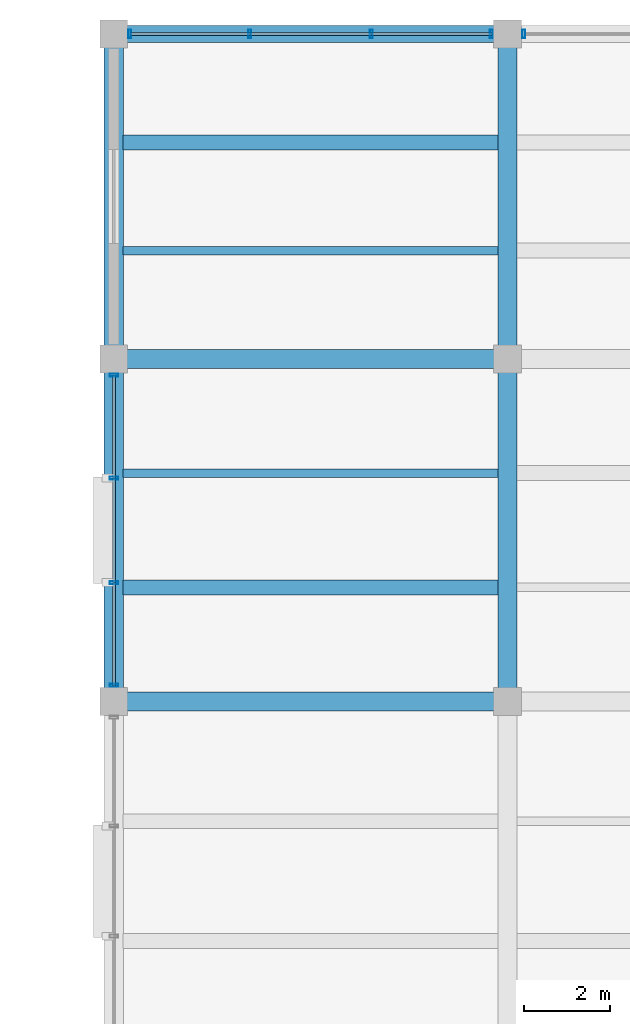
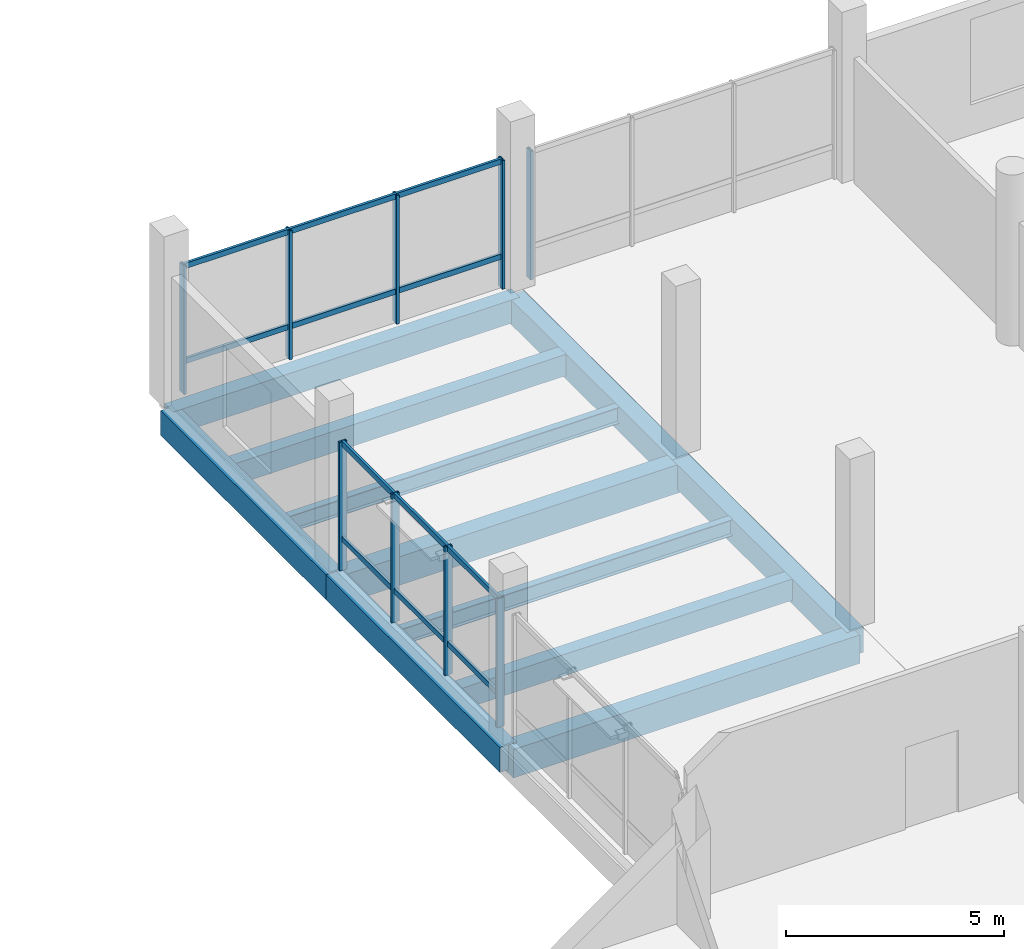
# One storey, part 38 of 71: 21 members, 11 beams, 3 elements without a shape of their own.
"""IFC4 building model written with IfcOpenShell, lengths in metres."""

from ifc_helpers import new_model, si_unit, direction, frame, origin, origin_2d, place, context, subcontext, project, spatial, rectangle, hollow_rectangle, i_section, extrude, material, layer, layer_set, material_profile, profile_set, type_object, element, aggregate, save


model = new_model("IFC4")

# Units and contexts
model_context = context("Model", 3, precision=1e-05, world=origin(), true_north=direction((0.0, 1.0)))
body_context = subcontext(model_context, "Body", "Model", "MODEL_VIEW")
ifc_project = project(units=[si_unit("LENGTHUNIT", "METRE"), si_unit("AREAUNIT", "SQUARE_METRE"), si_unit("VOLUMEUNIT", "CUBIC_METRE"), si_unit("PLANEANGLEUNIT", "RADIAN"), si_unit("MASSUNIT", "GRAM", prefix="KILO")], contexts=[model_context])

# Site, building, storey
site_placement = place(None, origin())
site = spatial("IfcSite", under=ifc_project, at=site_placement, CompositionType="ELEMENT")
building_placement = place(site_placement, origin())
building = spatial("IfcBuilding", under=site, at=building_placement, Name="Meriwether Solvik Hall", CompositionType="ELEMENT")
storey_placement = place(building_placement, frame((0.0, 0.0, 5.10009765625)))
storey = spatial("IfcBuildingStorey", under=building, at=storey_placement, Name="L01", CompositionType="ELEMENT", Elevation=5.10009765625)

# Beams
ifc_material_1 = material(Name="Concrete C40/50", Category="concrete")
ifc_material_profile_1 = material_profile(ifc_material_1, rectangle(XDim=0.35009765625, YDim=0.60009765625, at=origin_2d()), Name="RCB-350X600")
ifc_profile_set_1 = profile_set([ifc_material_profile_1], Name="Concrete C40/50")
beam_type_1 = type_object("IfcBeamType", Name="BM-RC-350X600", PredefinedType="JOIST", material=ifc_profile_set_1)
for number, where, z_axis, x_axis, name in (
    (1, (105.219970703125, 103.86669921875, -0.60009765625), (1.0, 0.0, 0.0), (0.0, 1.0, 0.0), "Secondary Floor Joist 12/L_J1 (L01)"),
    (2, (105.219970703125, 114.2666015625, -0.60009765625), (1.0, 0.0, 0.0), (0.0, 1.0, 0.0), "Secondary Floor Joist 12/M_J2 (L01)"),
):
    element("IfcBeam", number, at=place(storey_placement, frame(where, z_axis=z_axis, x_axis=x_axis)), inside=storey, type_object=beam_type_1, Name=name, PredefinedType="JOIST", context=body_context, shape_type="SweptSolid", body=[
        extrude(rectangle(XDim=0.35009765625, YDim=0.60009765625, at=origin_2d()), origin(), (0.0, 0.0, 1.0), 8.760009765625),
    ])
ifc_material_2 = material(Name="Concrete C40/50", Category="concrete")
ifc_material_profile_2 = material_profile(ifc_material_2, rectangle(XDim=0.39990234375, YDim=0.64990234375, at=origin_2d()), Name="RCB-400X650")
ifc_profile_set_2 = profile_set([ifc_material_profile_2], Name="Concrete C40/50")
beam_type_2 = type_object("IfcBeamType", Name="BM-RC-400X650", PredefinedType="SPANDREL", material=ifc_profile_set_2)
beam_1_placement = place(storey_placement, frame((105.0, 116.800048828125, -0.625), z_axis=(1.0, 0.0, 0.0), x_axis=(0.0, 1.0, 0.0)))
element("IfcBeam", 3, at=beam_1_placement, inside=storey, type_object=beam_type_2, Name="Podium Girder N:12-13 (L01)", PredefinedType="SPANDREL", context=body_context, shape_type="SweptSolid", body=[
    extrude(rectangle(XDim=0.39990234375, YDim=0.64990234375, at=origin_2d()), origin(), (0.0, 0.0, 1.0), 9.199951171875),
])
ifc_material_3 = material(Name="Concrete C40/50", Category="concrete")
ifc_material_profile_3 = material_profile(ifc_material_3, rectangle(XDim=0.449951171875, YDim=0.699951171875, at=origin_2d()), Name="RCB-450X700")
ifc_profile_set_3 = profile_set([ifc_material_profile_3], Name="Concrete C40/50")
beam_type_3 = type_object("IfcBeamType", Name="BM-RC-450X700", PredefinedType="BEAM", material=ifc_profile_set_3)
beam_2_placement = place(storey_placement, frame((105.0, 101.199951171875, -0.650146484375), z_axis=(0.0, 1.0, 0.0), x_axis=(-1.0, 0.0, 0.0)))
element("IfcBeam", 4, at=beam_2_placement, inside=storey, type_object=beam_type_3, Name="Podium Girder 12:L-M (L01)", PredefinedType="BEAM", context=body_context, shape_type="SweptSolid", body=[
    extrude(rectangle(XDim=0.449951171875, YDim=0.699951171875, at=origin_2d()), origin(), (0.0, 0.0, 1.0), 8.0),
])
beam_3_placement = place(storey_placement, frame((105.0, 109.199951171875, -0.650146484375), z_axis=(0.0, 1.0, 0.0), x_axis=(-1.0, 0.0, 0.0)))
element("IfcBeam", 5, at=beam_3_placement, inside=storey, type_object=beam_type_3, Name="Podium Girder 12:M-N (L01)", PredefinedType="BEAM", context=body_context, shape_type="SweptSolid", body=[
    extrude(rectangle(XDim=0.449951171875, YDim=0.699951171875, at=origin_2d()), origin(), (0.0, 0.0, 1.0), 7.60009765625),
])
beam_4_placement = place(storey_placement, frame((114.199951171875, 101.199951171875, -0.650146484375), z_axis=(0.0, 1.0, 0.0), x_axis=(-1.0, 0.0, 0.0)))
element("IfcBeam", 6, at=beam_4_placement, inside=storey, type_object=beam_type_3, Name="Podium Girder 13:L-M (L01)", PredefinedType="BEAM", context=body_context, shape_type="SweptSolid", body=[
    extrude(rectangle(XDim=0.449951171875, YDim=0.699951171875, at=origin_2d()), origin(), (0.0, 0.0, 1.0), 8.0),
])
beam_5_placement = place(storey_placement, frame((114.199951171875, 109.199951171875, -0.650146484375), z_axis=(0.0, 1.0, 0.0), x_axis=(-1.0, 0.0, 0.0)))
element("IfcBeam", 7, at=beam_5_placement, inside=storey, type_object=beam_type_3, Name="Podium Girder 13:M-N (L01)", PredefinedType="BEAM", context=body_context, shape_type="SweptSolid", body=[
    extrude(rectangle(XDim=0.449951171875, YDim=0.699951171875, at=origin_2d()), origin(), (0.0, 0.0, 1.0), 7.60009765625),
])
ifc_material_4 = material(Name="Concrete C40/50", Category="concrete")
ifc_material_profile_4 = material_profile(ifc_material_4, rectangle(XDim=0.449951171875, YDim=0.800048828125, at=origin_2d()), Name="RCB-450X800")
ifc_profile_set_4 = profile_set([ifc_material_profile_4], Name="Concrete C40/50")
beam_type_4 = type_object("IfcBeamType", Name="BM-RC-450X800", PredefinedType="BEAM", material=ifc_profile_set_4)
for number, where, z_axis, x_axis, name in (
    (8, (105.0, 101.199951171875, -0.7001953125), (1.0, 0.0, 0.0), (0.0, 1.0, 0.0), "Podium Girder L:12-13 (L01)"),
    (9, (105.0, 109.199951171875, -0.7001953125), (1.0, 0.0, 0.0), (0.0, 1.0, 0.0), "Podium Girder M:12-13 (L01)"),
):
    element("IfcBeam", number, at=place(storey_placement, frame(where, z_axis=z_axis, x_axis=x_axis)), inside=storey, type_object=beam_type_4, Name=name, PredefinedType="BEAM", context=body_context, shape_type="SweptSolid", body=[
        extrude(rectangle(XDim=0.449951171875, YDim=0.800048828125, at=origin_2d()), origin(), (0.0, 0.0, 1.0), 9.199951171875),
    ])
ifc_material_5 = material(Name="Steel A992 Grade 50", Category="steel")
ifc_material_profile_5 = material_profile(ifc_material_5, i_section(OverallWidth=0.19091796875, OverallDepth=0.45703125, WebThickness=0.009033203125, FlangeThickness=0.014404296875, at=origin_2d()), Name="W18X50")
ifc_profile_set_5 = profile_set([ifc_material_profile_5], Name="Steel A992 Grade 50")
beam_type_5 = type_object("IfcBeamType", Name="BM-STL-W18X50", PredefinedType="JOIST", material=ifc_profile_set_5)
for number, where, z_axis, x_axis, name in (
    (10, (105.219970703125, 106.533203125, -0.528564453125), (1.0, 0.0, 0.0), (0.0, 1.0, 0.0), "Secondary Floor Joist 12/L_J2 (L01)"),
    (11, (105.219970703125, 111.7333984375, -0.528564453125), (1.0, 0.0, 0.0), (0.0, 1.0, 0.0), "Secondary Floor Joist 12/M_J1 (L01)"),
):
    element("IfcBeam", number, at=place(storey_placement, frame(where, z_axis=z_axis, x_axis=x_axis)), inside=storey, type_object=beam_type_5, Name=name, PredefinedType="JOIST", context=body_context, shape_type="SweptSolid", body=[
        extrude(i_section(OverallWidth=0.19091796875, OverallDepth=0.45703125, WebThickness=0.009033203125, FlangeThickness=0.014404296875, at=origin_2d()), origin(), (0.0, 0.0, 1.0), 8.760009765625),
    ])

# Curtain wall, members
ifc_material_6 = material(Name="Thermally Broken Anodised Aluminium 6063-T6 and Low-E Glass", Category="aluminium")
ifc_layer = layer(ifc_material_6, 0.179931640625)
ifc_layer_set = layer_set([ifc_layer], Name="Thermally Broken Anodised Aluminium 6063-T6 and Low-E Glass")
curtain_wall_type = type_object("IfcCurtainWallType", Name="CW-SF-POD-B", PredefinedType="USERDEFINED", material=ifc_layer_set)
curtain_wall_1_placement = place(storey_placement, origin())
curtain_wall_1 = element("IfcCurtainWall", 12, at=curtain_wall_1_placement, inside=storey, type_object=curtain_wall_type, Name="Curtain Wall wing_XN_12_29 (L01)", ObjectType="STICK STOREFRONT GLAZING", PredefinedType="USERDEFINED")
ifc_material_7 = material(Name="Anodised Aluminium 6063-T6", Category="aluminium")
ifc_material_profile_6 = material_profile(ifc_material_7, hollow_rectangle(XDim=0.070068359375, YDim=0.199951171875, WallThickness=0.0048828125, at=origin_2d()), Name="CWM-70X200")
ifc_profile_set_6 = profile_set([ifc_material_profile_6], Name="Anodised Aluminium 6063-T6")
member_type_1 = type_object("IfcMemberType", Name="CW-MUL-70X200", PredefinedType="MULLION", material=ifc_profile_set_6)
member_1_placement = place(storey_placement, frame((105.375, 116.800048828125, 0.0), z_axis=(0.0, 0.0, 1.0), x_axis=(1.0, 0.0, 0.0)))
member_1 = element("IfcMember", 13, at=member_1_placement, type_object=member_type_1, Name="Curtain Wall Mullion 1", PredefinedType="MULLION", context=body_context, shape_type="SweptSolid", body=[
    extrude(hollow_rectangle(XDim=0.070068359375, YDim=0.199951171875, WallThickness=0.0048828125, at=origin_2d()), origin(), (0.0, 0.0, 1.0), 3.60986328125),
])
member_2_placement = place(storey_placement, frame((108.178955078125, 116.800048828125, 0.0), z_axis=(0.0, 0.0, 1.0), x_axis=(1.0, 0.0, 0.0)))
member_2 = element("IfcMember", 14, at=member_2_placement, type_object=member_type_1, Name="Curtain Wall Mullion 2", PredefinedType="MULLION", context=body_context, shape_type="SweptSolid", body=[
    extrude(hollow_rectangle(XDim=0.070068359375, YDim=0.199951171875, WallThickness=0.0048828125, at=origin_2d()), origin(), (0.0, 0.0, 1.0), 3.60986328125),
])
member_3_placement = place(storey_placement, frame((111.02099609375, 116.800048828125, 0.0), z_axis=(0.0, 0.0, 1.0), x_axis=(1.0, 0.0, 0.0)))
member_3 = element("IfcMember", 15, at=member_3_placement, type_object=member_type_1, Name="Curtain Wall Mullion 3", PredefinedType="MULLION", context=body_context, shape_type="SweptSolid", body=[
    extrude(hollow_rectangle(XDim=0.070068359375, YDim=0.199951171875, WallThickness=0.0048828125, at=origin_2d()), origin(), (0.0, 0.0, 1.0), 3.60986328125),
])
member_4_placement = place(storey_placement, frame((113.824951171875, 116.800048828125, 0.0), z_axis=(0.0, 0.0, 1.0), x_axis=(1.0, 0.0, 0.0)))
member_4 = element("IfcMember", 16, at=member_4_placement, type_object=member_type_1, Name="Curtain Wall Mullion 4", PredefinedType="MULLION", context=body_context, shape_type="SweptSolid", body=[
    extrude(hollow_rectangle(XDim=0.070068359375, YDim=0.199951171875, WallThickness=0.0048828125, at=origin_2d()), origin(), (0.0, 0.0, 1.0), 3.60986328125),
])

# Curtain wall, member
curtain_wall_2_placement = place(storey_placement, origin())
curtain_wall_2 = element("IfcCurtainWall", 17, at=curtain_wall_2_placement, inside=storey, type_object=curtain_wall_type, Name="Curtain Wall wing_XN_13_30 (L01)", ObjectType="STICK STOREFRONT GLAZING", PredefinedType="USERDEFINED")
member_5_placement = place(storey_placement, frame((114.574951171875, 116.800048828125, 0.0), z_axis=(0.0, 0.0, 1.0), x_axis=(1.0, 0.0, 0.0)))
member_5 = element("IfcMember", 18, at=member_5_placement, type_object=member_type_1, Name="Curtain Wall Mullion 1", PredefinedType="MULLION", context=body_context, shape_type="SweptSolid", body=[
    extrude(hollow_rectangle(XDim=0.070068359375, YDim=0.199951171875, WallThickness=0.0048828125, at=origin_2d()), origin(), (0.0, 0.0, 1.0), 3.60986328125),
])
aggregate(curtain_wall_2, [member_5])

# Curtain wall, members
curtain_wall_3_placement = place(storey_placement, origin())
curtain_wall_3 = element("IfcCurtainWall", 19, at=curtain_wall_3_placement, inside=storey, type_object=curtain_wall_type, Name="Curtain Wall wing_Y12_12_47 (L01)", ObjectType="STICK STOREFRONT GLAZING", PredefinedType="USERDEFINED")
member_6_placement = place(storey_placement, frame((105.0, 101.574951171875, 0.0), z_axis=(0.0, 0.0, 1.0), x_axis=(0.0, 1.0, 0.0)))
member_6 = element("IfcMember", 20, at=member_6_placement, type_object=member_type_1, Name="Curtain Wall Mullion 1", PredefinedType="MULLION", context=body_context, shape_type="SweptSolid", body=[
    extrude(hollow_rectangle(XDim=0.070068359375, YDim=0.199951171875, WallThickness=0.0048828125, at=origin_2d()), origin(), (0.0, 0.0, 1.0), 3.60986328125),
])
member_7_placement = place(storey_placement, frame((105.0, 103.97900390625, 0.0), z_axis=(0.0, 0.0, 1.0), x_axis=(0.0, 1.0, 0.0)))
member_7 = element("IfcMember", 21, at=member_7_placement, type_object=member_type_1, Name="Curtain Wall Mullion 2", PredefinedType="MULLION", context=body_context, shape_type="SweptSolid", body=[
    extrude(hollow_rectangle(XDim=0.070068359375, YDim=0.199951171875, WallThickness=0.0048828125, at=origin_2d()), origin(), (0.0, 0.0, 1.0), 3.60986328125),
])
member_8_placement = place(storey_placement, frame((105.0, 106.4208984375, 0.0), z_axis=(0.0, 0.0, 1.0), x_axis=(0.0, 1.0, 0.0)))
member_8 = element("IfcMember", 22, at=member_8_placement, type_object=member_type_1, Name="Curtain Wall Mullion 3", PredefinedType="MULLION", context=body_context, shape_type="SweptSolid", body=[
    extrude(hollow_rectangle(XDim=0.070068359375, YDim=0.199951171875, WallThickness=0.0048828125, at=origin_2d()), origin(), (0.0, 0.0, 1.0), 3.60986328125),
])
member_9_placement = place(storey_placement, frame((105.0, 108.824951171875, 0.0), z_axis=(0.0, 0.0, 1.0), x_axis=(0.0, 1.0, 0.0)))
member_9 = element("IfcMember", 23, at=member_9_placement, type_object=member_type_1, Name="Curtain Wall Mullion 4", PredefinedType="MULLION", context=body_context, shape_type="SweptSolid", body=[
    extrude(hollow_rectangle(XDim=0.070068359375, YDim=0.199951171875, WallThickness=0.0048828125, at=origin_2d()), origin(), (0.0, 0.0, 1.0), 3.60986328125),
])

# Member
ifc_material_8 = material(Name="Anodised Aluminium 6063-T6", Category="aluminium")
ifc_material_profile_7 = material_profile(ifc_material_8, hollow_rectangle(XDim=0.070068359375, YDim=0.14990234375, WallThickness=0.0048828125, at=origin_2d()), Name="CWT-70X150")
ifc_profile_set_7 = profile_set([ifc_material_profile_7], Name="Anodised Aluminium 6063-T6")
member_type_2 = type_object("IfcMemberType", Name="CW-TRN-70X150", PredefinedType="USERDEFINED", material=ifc_profile_set_7)
member_10_placement = place(storey_placement, frame((105.375, 116.800048828125, 0.8798828125), z_axis=(1.0, 0.0, 0.0), x_axis=(0.0, 1.0, 0.0)))
member_10 = element("IfcMember", 24, at=member_10_placement, type_object=member_type_2, Name="Curtain Wall Transom 1-sill", ObjectType="TRANSOM", PredefinedType="USERDEFINED", context=body_context, shape_type="SweptSolid", body=[
    extrude(hollow_rectangle(XDim=0.070068359375, YDim=0.14990234375, WallThickness=0.0048828125, at=origin_2d()), origin(), (0.0, 0.0, 1.0), 2.803955078125),
])

member_11_placement = place(storey_placement, frame((105.375, 116.800048828125, 3.5498046875), z_axis=(1.0, 0.0, 0.0), x_axis=(0.0, 1.0, 0.0)))
member_11 = element("IfcMember", 25, at=member_11_placement, type_object=member_type_2, Name="Curtain Wall Transom 1-head", ObjectType="TRANSOM", PredefinedType="USERDEFINED", context=body_context, shape_type="SweptSolid", body=[
    extrude(hollow_rectangle(XDim=0.070068359375, YDim=0.14990234375, WallThickness=0.0048828125, at=origin_2d()), origin(), (0.0, 0.0, 1.0), 2.803955078125),
])

member_12_placement = place(storey_placement, frame((108.178955078125, 116.800048828125, 0.8798828125), z_axis=(1.0, 0.0, 0.0), x_axis=(0.0, 1.0, 0.0)))
member_12 = element("IfcMember", 26, at=member_12_placement, type_object=member_type_2, Name="Curtain Wall Transom 2-sill", ObjectType="TRANSOM", PredefinedType="USERDEFINED", context=body_context, shape_type="SweptSolid", body=[
    extrude(hollow_rectangle(XDim=0.070068359375, YDim=0.14990234375, WallThickness=0.0048828125, at=origin_2d()), origin(), (0.0, 0.0, 1.0), 2.842041015625),
])

member_13_placement = place(storey_placement, frame((108.178955078125, 116.800048828125, 3.5498046875), z_axis=(1.0, 0.0, 0.0), x_axis=(0.0, 1.0, 0.0)))
member_13 = element("IfcMember", 27, at=member_13_placement, type_object=member_type_2, Name="Curtain Wall Transom 2-head", ObjectType="TRANSOM", PredefinedType="USERDEFINED", context=body_context, shape_type="SweptSolid", body=[
    extrude(hollow_rectangle(XDim=0.070068359375, YDim=0.14990234375, WallThickness=0.0048828125, at=origin_2d()), origin(), (0.0, 0.0, 1.0), 2.842041015625),
])

member_14_placement = place(storey_placement, frame((111.02099609375, 116.800048828125, 0.8798828125), z_axis=(1.0, 0.0, 0.0), x_axis=(0.0, 1.0, 0.0)))
member_14 = element("IfcMember", 28, at=member_14_placement, type_object=member_type_2, Name="Curtain Wall Transom 3-sill", ObjectType="TRANSOM", PredefinedType="USERDEFINED", context=body_context, shape_type="SweptSolid", body=[
    extrude(hollow_rectangle(XDim=0.070068359375, YDim=0.14990234375, WallThickness=0.0048828125, at=origin_2d()), origin(), (0.0, 0.0, 1.0), 2.803955078125),
])

member_15_placement = place(storey_placement, frame((111.02099609375, 116.800048828125, 3.5498046875), z_axis=(1.0, 0.0, 0.0), x_axis=(0.0, 1.0, 0.0)))
member_15 = element("IfcMember", 29, at=member_15_placement, type_object=member_type_2, Name="Curtain Wall Transom 3-head", ObjectType="TRANSOM", PredefinedType="USERDEFINED", context=body_context, shape_type="SweptSolid", body=[
    extrude(hollow_rectangle(XDim=0.070068359375, YDim=0.14990234375, WallThickness=0.0048828125, at=origin_2d()), origin(), (0.0, 0.0, 1.0), 2.803955078125),
])

aggregate(curtain_wall_1, [member_1, member_2, member_3, member_4, member_10, member_11, member_12, member_13, member_14, member_15])

member_16_placement = place(storey_placement, frame((105.0, 101.574951171875, 0.8798828125), z_axis=(0.0, 1.0, 0.0), x_axis=(-1.0, 0.0, 0.0)))
member_16 = element("IfcMember", 30, at=member_16_placement, type_object=member_type_2, Name="Curtain Wall Transom 1-sill", ObjectType="TRANSOM", PredefinedType="USERDEFINED", context=body_context, shape_type="SweptSolid", body=[
    extrude(hollow_rectangle(XDim=0.070068359375, YDim=0.14990234375, WallThickness=0.0048828125, at=origin_2d()), origin(), (0.0, 0.0, 1.0), 2.404052734375),
])

member_17_placement = place(storey_placement, frame((105.0, 101.574951171875, 3.5498046875), z_axis=(0.0, 1.0, 0.0), x_axis=(-1.0, 0.0, 0.0)))
member_17 = element("IfcMember", 31, at=member_17_placement, type_object=member_type_2, Name="Curtain Wall Transom 1-head", ObjectType="TRANSOM", PredefinedType="USERDEFINED", context=body_context, shape_type="SweptSolid", body=[
    extrude(hollow_rectangle(XDim=0.070068359375, YDim=0.14990234375, WallThickness=0.0048828125, at=origin_2d()), origin(), (0.0, 0.0, 1.0), 2.404052734375),
])

member_18_placement = place(storey_placement, frame((105.0, 103.97900390625, 0.8798828125), z_axis=(0.0, 1.0, 0.0), x_axis=(-1.0, 0.0, 0.0)))
member_18 = element("IfcMember", 32, at=member_18_placement, type_object=member_type_2, Name="Curtain Wall Transom 2-sill", ObjectType="TRANSOM", PredefinedType="USERDEFINED", context=body_context, shape_type="SweptSolid", body=[
    extrude(hollow_rectangle(XDim=0.070068359375, YDim=0.14990234375, WallThickness=0.0048828125, at=origin_2d()), origin(), (0.0, 0.0, 1.0), 2.44189453125),
])

member_19_placement = place(storey_placement, frame((105.0, 103.97900390625, 3.5498046875), z_axis=(0.0, 1.0, 0.0), x_axis=(-1.0, 0.0, 0.0)))
member_19 = element("IfcMember", 33, at=member_19_placement, type_object=member_type_2, Name="Curtain Wall Transom 2-head", ObjectType="TRANSOM", PredefinedType="USERDEFINED", context=body_context, shape_type="SweptSolid", body=[
    extrude(hollow_rectangle(XDim=0.070068359375, YDim=0.14990234375, WallThickness=0.0048828125, at=origin_2d()), origin(), (0.0, 0.0, 1.0), 2.44189453125),
])

member_20_placement = place(storey_placement, frame((105.0, 106.4208984375, 0.8798828125), z_axis=(0.0, 1.0, 0.0), x_axis=(-1.0, 0.0, 0.0)))
member_20 = element("IfcMember", 34, at=member_20_placement, type_object=member_type_2, Name="Curtain Wall Transom 3-sill", ObjectType="TRANSOM", PredefinedType="USERDEFINED", context=body_context, shape_type="SweptSolid", body=[
    extrude(hollow_rectangle(XDim=0.070068359375, YDim=0.14990234375, WallThickness=0.0048828125, at=origin_2d()), origin(), (0.0, 0.0, 1.0), 2.404052734375),
])

member_21_placement = place(storey_placement, frame((105.0, 106.4208984375, 3.5498046875), z_axis=(0.0, 1.0, 0.0), x_axis=(-1.0, 0.0, 0.0)))
member_21 = element("IfcMember", 35, at=member_21_placement, type_object=member_type_2, Name="Curtain Wall Transom 3-head", ObjectType="TRANSOM", PredefinedType="USERDEFINED", context=body_context, shape_type="SweptSolid", body=[
    extrude(hollow_rectangle(XDim=0.070068359375, YDim=0.14990234375, WallThickness=0.0048828125, at=origin_2d()), origin(), (0.0, 0.0, 1.0), 2.404052734375),
])

aggregate(curtain_wall_3, [member_6, member_7, member_8, member_9, member_16, member_17, member_18, member_19, member_20, member_21])

save(model, "model.ifc")
